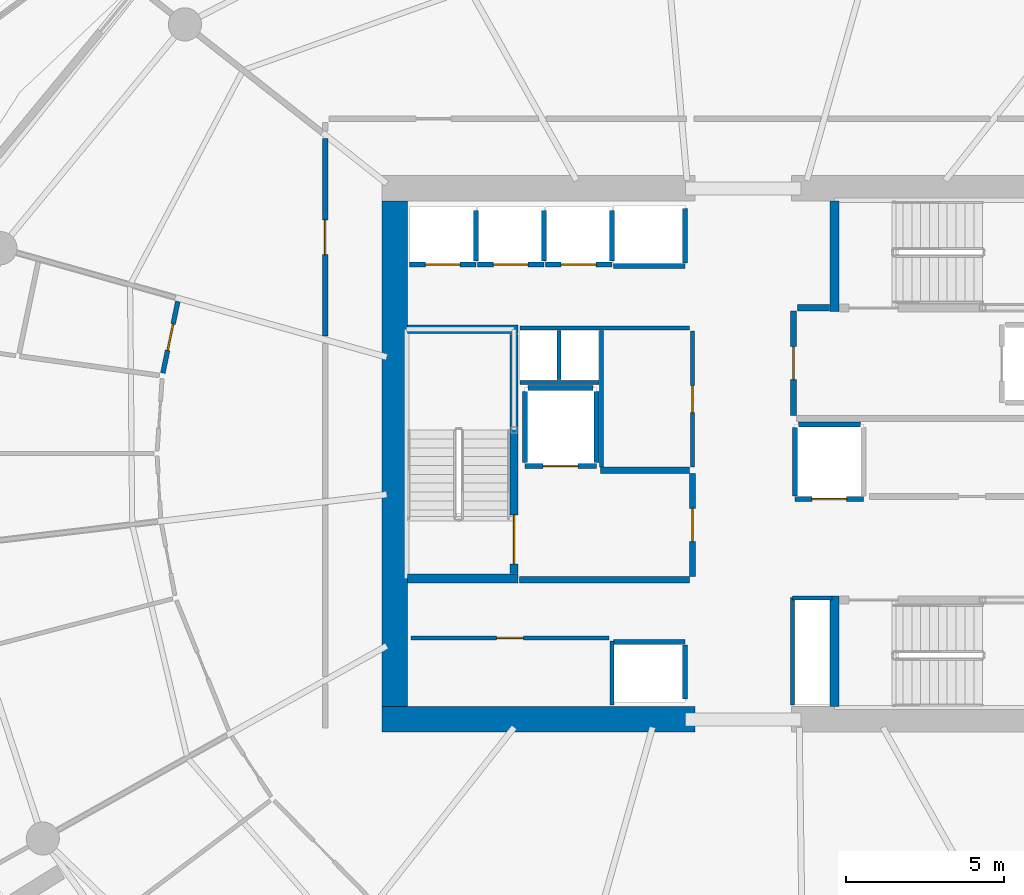
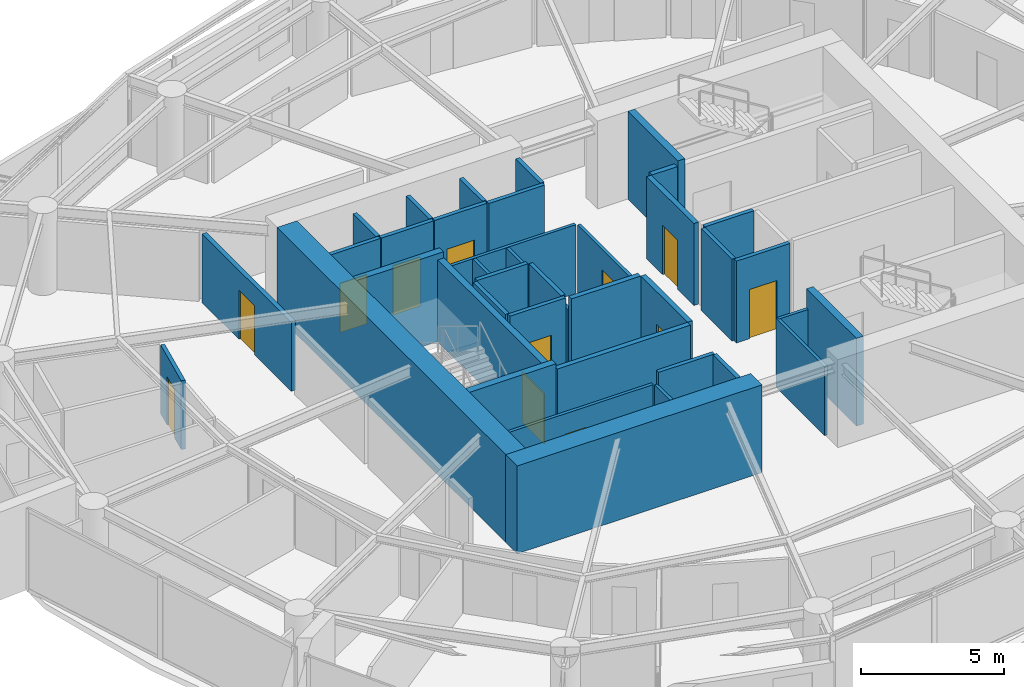
# One storey, part 12 of 20: 40 walls, 12 doors, 12 openings.
"""IFC4 building model written with IfcOpenShell, lengths in metres."""

from ifc_helpers import new_model, si_unit, direction, frame, frame_2d, origin, place, context, subcontext, project, spatial, rectangle, extrude, material, layer, layer_set, type_object, element, fill, save


model = new_model("IFC4")

# Units and contexts
model_context = context("Model", 3, precision=1e-05, world=origin(), true_north=direction((0.0, 1.0)))
body_context = subcontext(model_context, "Body", "Model", "MODEL_VIEW")
ifc_project = project(units=[si_unit("LENGTHUNIT", "METRE"), si_unit("AREAUNIT", "SQUARE_METRE"), si_unit("VOLUMEUNIT", "CUBIC_METRE"), si_unit("PLANEANGLEUNIT", "RADIAN"), si_unit("MASSUNIT", "GRAM", prefix="KILO")], contexts=[model_context])

# Site, building, storey
site_placement = place(None, origin())
site = spatial("IfcSite", under=ifc_project, at=site_placement, CompositionType="ELEMENT")
building_placement = place(site_placement, origin())
building = spatial("IfcBuilding", under=site, at=building_placement, Name="Kazma Halo Residences", CompositionType="ELEMENT")
storey_placement = place(building_placement, frame((0.0, 0.0, 139.050048828125)))
storey = spatial("IfcBuildingStorey", under=building, at=storey_placement, Name="L34", CompositionType="ELEMENT", Elevation=139.050048828125)

# Walls
ifc_material_1 = material(Name="Concrete C80/95", Category="concrete")
ifc_layer_1 = layer(ifc_material_1, 0.800048828125)
ifc_layer_set_1 = layer_set([ifc_layer_1], Name="Concrete C80/95")
wall_type_1 = type_object("IfcWallType", Name="WL-CORE-800", PredefinedType="SHEAR", material=ifc_layer_set_1)
wall_1_placement = place(storey_placement, frame((37.0, 33.60009765625, 0.0), z_axis=(0.0, 0.0, 1.0), x_axis=(1.0, 0.0, 0.0)))
element("IfcWall", 1, at=wall_1_placement, inside=storey, type_object=wall_type_1, Name="L34 central core shear wall SW", PredefinedType="SHEAR", context=body_context, shape_type="SweptSolid", body=[
    extrude(rectangle(XDim=9.89990234375, YDim=0.800048828125, at=frame_2d((4.949951171875, 0.0))), origin(), (0.0, 0.0, 1.0), 3.75),
])
wall_2_placement = place(storey_placement, frame((37.39990234375, 34.0, 0.0), z_axis=(0.0, 0.0, 1.0), x_axis=(0.0, 1.0, 0.0)))
element("IfcWall", 2, at=wall_2_placement, inside=storey, type_object=wall_type_1, Name="L34 central core shear wall W", PredefinedType="SHEAR", context=body_context, shape_type="SweptSolid", body=[
    extrude(rectangle(XDim=16.0, YDim=0.800048828125, at=frame_2d((8.0, 0.0))), origin(), (0.0, 0.0, 1.0), 3.75),
])
ifc_material_2 = material(Name="Concrete C60/75", Category="concrete")
ifc_layer_2 = layer(ifc_material_2, 0.280029296875)
ifc_layer_set_2 = layer_set([ifc_layer_2], Name="Concrete C60/75")
wall_type_2 = type_object("IfcWallType", Name="WL-CORE-ST-280", PredefinedType="SHEAR", material=ifc_layer_set_2)
for number, where, z_axis, x_axis, name in (
    (3, (37.800048828125, 38.06005859375, 0.0), (0.0, 0.0, 1.0), (1.0, 0.0, 0.0), "L34 stairwell bearing wall ST01-S"),
    (4, (37.800048828125, 45.93994140625, 0.0), (0.0, 0.0, 1.0), (1.0, 0.0, 0.0), "L34 stairwell bearing wall ST01-N"),
    (5, (51.31005859375, 46.5, 0.0), (0.0, 0.0, 1.0), (0.0, 1.0, 0.0), "L34 stairwell bearing wall ST02-W"),
    (6, (51.31005859375, 34.0, 0.0), (0.0, 0.0, 1.0), (0.0, 1.0, 0.0), "L34 stairwell bearing wall ST03-W"),
):
    element("IfcWall", number, at=place(storey_placement, frame(where, z_axis=z_axis, x_axis=x_axis)), inside=storey, type_object=wall_type_2, Name=name, PredefinedType="SHEAR", context=body_context, shape_type="SweptSolid", body=[
        extrude(rectangle(XDim=3.5, YDim=0.280029296875, at=frame_2d((1.75, 0.0))), origin(), (0.0, 0.0, 1.0), 3.75),
    ])

# Wall, opening, door
ifc_material_3 = material(Name="Acoustic Twin-Stud Gypsum")
ifc_layer_3 = layer(ifc_material_3, 0.179931640625)
ifc_layer_set_3 = layer_set([ifc_layer_3], Name="Acoustic Twin-Stud Gypsum")
wall_type_3 = type_object("IfcWallType", Name="WL-DEM-180", PredefinedType="PARTITIONING", material=ifc_layer_set_3)
wall_3_placement = place(storey_placement, frame((35.199951171875, 51.970703125, 0.0), z_axis=(0.0, 0.0, 1.0), x_axis=(0.0, -1.0, 0.0)))
wall_3 = element("IfcWall", 7, at=wall_3_placement, inside=storey, type_object=wall_type_3, Name="L34 Apartment 1 entrance corridor wall", PredefinedType="PARTITIONING", context=body_context, shape_type="SweptSolid", body=[
    extrude(rectangle(XDim=6.24072265625, YDim=0.179931640625, at=frame_2d((3.120361328125, 0.0))), origin(), (0.0, 0.0, 1.0), 2.93994140625),
])
opening_1_placement = place(wall_3_placement, frame((2.5703125, 0.0, 0.0)))
opening_1 = element("IfcOpeningElement", 8, at=opening_1_placement, cuts=wall_3, Name="Opening DA-1100", PredefinedType="OPENING", context=body_context, shape_type="SweptSolid", body=[
    extrude(rectangle(XDim=1.10009765625, YDim=2.10009765625, at=frame_2d((0.550048828125, 1.050048828125))), frame((0.0, 0.099853515625, 0.0), z_axis=(0.0, -1.0, 0.0), x_axis=(1.0, 0.0, 0.0)), (0.0, 0.0, 1.0), 0.199951171875),
])
ifc_material_4 = material(Name="Acoustic Walnut Fire Leaf")
door_type_1 = type_object("IfcDoorType", Name="DR-FD60-1100", OperationType="NOTDEFINED", PredefinedType="DOOR", material=ifc_material_4)
door_1_placement = place(opening_1_placement, origin())
door_1 = element("IfcDoor", 9, at=door_1_placement, inside=storey, type_object=door_type_1, Name="L34 Apartment 1 entrance fire door", OperationType="SINGLE_SWING_RIGHT", OverallHeight=2.10009765625, OverallWidth=1.10009765625, PredefinedType="DOOR", context=body_context, shape_type="SweptSolid", body=[
    extrude(rectangle(XDim=1.10009765625, YDim=2.10009765625, at=frame_2d((0.550048828125, 1.050048828125))), frame((0.0, 0.02490234375, 0.0), z_axis=(0.0, -1.0, 0.0), x_axis=(1.0, 0.0, 0.0)), (0.0, 0.0, 1.0), 0.050048828125),
])
fill(opening_1, door_1)

ifc_material_5 = material(Name="Fire-Rated Blockwork Masonry", Category="masonry")
ifc_layer_4 = layer(ifc_material_5, 0.199951171875)
ifc_layer_set_4 = layer_set([ifc_layer_4], Name="Fire-Rated Blockwork Masonry")
wall_type_4 = type_object("IfcWallType", Name="WL-FLB-200", PredefinedType="PARTITIONING", material=ifc_layer_set_4)
wall_4_placement = place(storey_placement, frame((39.97509765625, 47.9951171875, 0.0), z_axis=(0.0, 0.0, 1.0), x_axis=(-1.0, 0.0, 0.0)))
wall_4 = element("IfcWall", 10, at=wall_4_placement, inside=storey, type_object=wall_type_4, Name="L34 lift shaft PM-01 front wall", PredefinedType="PARTITIONING", context=body_context, shape_type="SweptSolid", body=[
    extrude(rectangle(XDim=2.110107421875, YDim=0.159912109375, at=frame_2d((1.05517578125, 0.0))), origin(), (0.0, 0.0, 1.0), 3.5),
])
opening_2_placement = place(wall_4_placement, frame((0.5048828125, 0.0, 0.0)))
opening_2 = element("IfcOpeningElement", 11, at=opening_2_placement, cuts=wall_4, Name="Opening LD-PM-01", PredefinedType="OPENING", context=body_context, shape_type="SweptSolid", body=[
    extrude(rectangle(XDim=1.10009765625, YDim=2.10009765625, at=frame_2d((0.550048828125, 1.050048828125))), frame((0.0, 0.08984375, 0.0), z_axis=(0.0, -1.0, 0.0), x_axis=(1.0, 0.0, 0.0)), (0.0, 0.0, 1.0), 0.179931640625),
])
ifc_material_6 = material(Name="Stainless Steel Fire-Rated", Category="steel")
door_type_2 = type_object("IfcDoorType", Name="DR-LIFT-SLD-1100", OperationType="DOUBLE_DOOR_SLIDING", PredefinedType="DOOR", material=ifc_material_6)
door_2_placement = place(opening_2_placement, origin())
door_2 = element("IfcDoor", 12, at=door_2_placement, inside=storey, type_object=door_type_2, Name="L34 lift PM-01 sliding landing door", OperationType="DOUBLE_DOOR_SLIDING", OverallHeight=2.10009765625, OverallWidth=1.10009765625, PredefinedType="DOOR", context=body_context, shape_type="SweptSolid", body=[
    extrude(rectangle(XDim=1.10009765625, YDim=2.10009765625, at=frame_2d((0.550048828125, 1.050048828125))), frame((0.0, 0.02490234375, 0.0), z_axis=(0.0, -1.0, 0.0), x_axis=(1.0, 0.0, 0.0)), (0.0, 0.0, 1.0), 0.050048828125),
])
fill(opening_2, door_2)

# Wall
wall_5_placement = place(storey_placement, frame((39.97509765625, 48.094970703125, 0.0), z_axis=(0.0, 0.0, 1.0), x_axis=(0.0, 1.0, 0.0)))
element("IfcWall", 13, at=wall_5_placement, inside=storey, type_object=wall_type_4, Name="L34 lift shaft PM-01 side wall E", PredefinedType="PARTITIONING", context=body_context, shape_type="SweptSolid", body=[
    extrude(rectangle(XDim=1.610107421875, YDim=0.159912109375, at=frame_2d((0.80517578125, 0.0))), origin(), (0.0, 0.0, 1.0), 3.5),
])

# Wall, opening, door
wall_6_placement = place(storey_placement, frame((42.125, 47.9951171875, 0.0), z_axis=(0.0, 0.0, 1.0), x_axis=(-1.0, 0.0, 0.0)))
wall_6 = element("IfcWall", 14, at=wall_6_placement, inside=storey, type_object=wall_type_4, Name="L34 lift shaft PM-02 front wall", PredefinedType="PARTITIONING", context=body_context, shape_type="SweptSolid", body=[
    extrude(rectangle(XDim=2.110107421875, YDim=0.159912109375, at=frame_2d((1.05517578125, 0.0))), origin(), (0.0, 0.0, 1.0), 3.5),
])
opening_3_placement = place(wall_6_placement, frame((0.5048828125, 0.0, 0.0)))
opening_3 = element("IfcOpeningElement", 15, at=opening_3_placement, cuts=wall_6, Name="Opening LD-PM-02", PredefinedType="OPENING", context=body_context, shape_type="SweptSolid", body=[
    extrude(rectangle(XDim=1.10009765625, YDim=2.10009765625, at=frame_2d((0.550048828125, 1.050048828125))), frame((0.0, 0.08984375, 0.0), z_axis=(0.0, -1.0, 0.0), x_axis=(1.0, 0.0, 0.0)), (0.0, 0.0, 1.0), 0.179931640625),
])
door_3_placement = place(opening_3_placement, origin())
door_3 = element("IfcDoor", 16, at=door_3_placement, inside=storey, type_object=door_type_2, Name="L34 lift PM-02 sliding landing door", OperationType="DOUBLE_DOOR_SLIDING", OverallHeight=2.10009765625, OverallWidth=1.10009765625, PredefinedType="DOOR", context=body_context, shape_type="SweptSolid", body=[
    extrude(rectangle(XDim=1.10009765625, YDim=2.10009765625, at=frame_2d((0.550048828125, 1.050048828125))), frame((0.0, 0.02490234375, 0.0), z_axis=(0.0, -1.0, 0.0), x_axis=(1.0, 0.0, 0.0)), (0.0, 0.0, 1.0), 0.050048828125),
])
fill(opening_3, door_3)

# Wall
wall_7_placement = place(storey_placement, frame((42.125, 48.094970703125, 0.0), z_axis=(0.0, 0.0, 1.0), x_axis=(0.0, 1.0, 0.0)))
element("IfcWall", 17, at=wall_7_placement, inside=storey, type_object=wall_type_4, Name="L34 lift shaft PM-02 side wall E", PredefinedType="PARTITIONING", context=body_context, shape_type="SweptSolid", body=[
    extrude(rectangle(XDim=1.610107421875, YDim=0.159912109375, at=frame_2d((0.80517578125, 0.0))), origin(), (0.0, 0.0, 1.0), 3.5),
])

# Wall, opening, door
wall_8_placement = place(storey_placement, frame((44.27490234375, 47.9951171875, 0.0), z_axis=(0.0, 0.0, 1.0), x_axis=(-1.0, 0.0, 0.0)))
wall_8 = element("IfcWall", 18, at=wall_8_placement, inside=storey, type_object=wall_type_4, Name="L34 lift shaft PM-03 front wall", PredefinedType="PARTITIONING", context=body_context, shape_type="SweptSolid", body=[
    extrude(rectangle(XDim=2.10986328125, YDim=0.159912109375, at=frame_2d((1.054931640625, 0.0))), origin(), (0.0, 0.0, 1.0), 3.5),
])
opening_4_placement = place(wall_8_placement, frame((0.5048828125, 0.0, 0.0)))
opening_4 = element("IfcOpeningElement", 19, at=opening_4_placement, cuts=wall_8, Name="Opening LD-PM-03", PredefinedType="OPENING", context=body_context, shape_type="SweptSolid", body=[
    extrude(rectangle(XDim=1.10009765625, YDim=2.10009765625, at=frame_2d((0.550048828125, 1.050048828125))), frame((0.0, 0.08984375, 0.0), z_axis=(0.0, -1.0, 0.0), x_axis=(1.0, 0.0, 0.0)), (0.0, 0.0, 1.0), 0.179931640625),
])
door_4_placement = place(opening_4_placement, origin())
door_4 = element("IfcDoor", 20, at=door_4_placement, inside=storey, type_object=door_type_2, Name="L34 lift PM-03 sliding landing door", OperationType="DOUBLE_DOOR_SLIDING", OverallHeight=2.10009765625, OverallWidth=1.10009765625, PredefinedType="DOOR", context=body_context, shape_type="SweptSolid", body=[
    extrude(rectangle(XDim=1.10009765625, YDim=2.10009765625, at=frame_2d((0.550048828125, 1.050048828125))), frame((0.0, 0.02490234375, 0.0), z_axis=(0.0, -1.0, 0.0), x_axis=(1.0, 0.0, 0.0)), (0.0, 0.0, 1.0), 0.050048828125),
])
fill(opening_4, door_4)

# Walls
wall_9_placement = place(storey_placement, frame((44.27490234375, 48.094970703125, 0.0), z_axis=(0.0, 0.0, 1.0), x_axis=(0.0, 1.0, 0.0)))
element("IfcWall", 21, at=wall_9_placement, inside=storey, type_object=wall_type_4, Name="L34 lift shaft PM-03 side wall E", PredefinedType="PARTITIONING", context=body_context, shape_type="SweptSolid", body=[
    extrude(rectangle(XDim=1.610107421875, YDim=0.159912109375, at=frame_2d((0.80517578125, 0.0))), origin(), (0.0, 0.0, 1.0), 3.5),
])
wall_10_placement = place(storey_placement, frame((46.580078125, 47.945068359375, 0.0), z_axis=(0.0, 0.0, 1.0), x_axis=(-1.0, 0.0, 0.0)))
element("IfcWall", 22, at=wall_10_placement, inside=storey, type_object=wall_type_4, Name="L34 lift shaft PX-01 front wall", PredefinedType="PARTITIONING", context=body_context, shape_type="SweptSolid", body=[
    extrude(rectangle(XDim=2.260009765625, YDim=0.159912109375, at=frame_2d((1.1298828125, 0.0))), origin(), (0.0, 0.0, 1.0), 3.5),
])
wall_11_placement = place(storey_placement, frame((46.580078125, 48.044921875, 0.0), z_axis=(0.0, 0.0, 1.0), x_axis=(0.0, 1.0, 0.0)))
element("IfcWall", 23, at=wall_11_placement, inside=storey, type_object=wall_type_4, Name="L34 lift shaft PX-01 side wall E", PredefinedType="PARTITIONING", context=body_context, shape_type="SweptSolid", body=[
    extrude(rectangle(XDim=1.7099609375, YDim=0.159912109375, at=frame_2d((0.85498046875, 0.0))), origin(), (0.0, 0.0, 1.0), 3.5),
])
wall_12_placement = place(storey_placement, frame((44.320068359375, 36.054931640625, 0.0), z_axis=(0.0, 0.0, 1.0), x_axis=(1.0, 0.0, 0.0)))
element("IfcWall", 24, at=wall_12_placement, inside=storey, type_object=wall_type_4, Name="L34 lift shaft PX-02 front wall", PredefinedType="PARTITIONING", context=body_context, shape_type="SweptSolid", body=[
    extrude(rectangle(XDim=2.260009765625, YDim=0.159912109375, at=frame_2d((1.1298828125, 0.0))), origin(), (0.0, 0.0, 1.0), 3.5),
])
wall_13_placement = place(storey_placement, frame((46.580078125, 34.2451171875, 0.0), z_axis=(0.0, 0.0, 1.0), x_axis=(0.0, 1.0, 0.0)))
element("IfcWall", 25, at=wall_13_placement, inside=storey, type_object=wall_type_4, Name="L34 lift shaft PX-02 side wall E", PredefinedType="PARTITIONING", context=body_context, shape_type="SweptSolid", body=[
    extrude(rectangle(XDim=1.7099609375, YDim=0.159912109375, at=frame_2d((0.85498046875, 0.0))), origin(), (0.0, 0.0, 1.0), 3.5),
])

# Wall, opening, door
wall_14_placement = place(storey_placement, frame((43.780029296875, 41.6201171875, 0.0), z_axis=(0.0, 0.0, 1.0), x_axis=(-1.0, 0.0, 0.0)))
wall_14 = element("IfcWall", 26, at=wall_14_placement, inside=storey, type_object=wall_type_4, Name="L34 lift shaft FL-01 front wall", PredefinedType="PARTITIONING", context=body_context, shape_type="SweptSolid", body=[
    extrude(rectangle(XDim=2.260009765625, YDim=0.159912109375, at=frame_2d((1.1298828125, 0.0))), origin(), (0.0, 0.0, 1.0), 3.5),
])
opening_5_placement = place(wall_14_placement, frame((0.580078125, 0.0, 0.0)))
opening_5 = element("IfcOpeningElement", 27, at=opening_5_placement, cuts=wall_14, Name="Opening LD-FL-01", PredefinedType="OPENING", context=body_context, shape_type="SweptSolid", body=[
    extrude(rectangle(XDim=1.10009765625, YDim=2.10009765625, at=frame_2d((0.550048828125, 1.050048828125))), frame((0.0, 0.08984375, 0.0), z_axis=(0.0, -1.0, 0.0), x_axis=(1.0, 0.0, 0.0)), (0.0, 0.0, 1.0), 0.179931640625),
])
door_5_placement = place(opening_5_placement, origin())
door_5 = element("IfcDoor", 28, at=door_5_placement, inside=storey, type_object=door_type_2, Name="L34 lift FL-01 sliding landing door", OperationType="DOUBLE_DOOR_SLIDING", OverallHeight=2.10009765625, OverallWidth=1.10009765625, PredefinedType="DOOR", context=body_context, shape_type="SweptSolid", body=[
    extrude(rectangle(XDim=1.10009765625, YDim=2.10009765625, at=frame_2d((0.550048828125, 1.050048828125))), frame((0.0, 0.02490234375, 0.0), z_axis=(0.0, -1.0, 0.0), x_axis=(1.0, 0.0, 0.0)), (0.0, 0.0, 1.0), 0.050048828125),
])
fill(opening_5, door_5)

# Walls
for number, where, z_axis, x_axis, name in (
    (29, (43.780029296875, 41.719970703125, 0.0), (0.0, 0.0, 1.0), (0.0, 1.0, 0.0), "L34 lift shaft FL-01 side wall E"),
    (30, (41.52001953125, 41.719970703125, 0.0), (0.0, 0.0, 1.0), (0.0, 1.0, 0.0), "L34 lift shaft FL-01 side wall W"),
):
    element("IfcWall", number, at=place(storey_placement, frame(where, z_axis=z_axis, x_axis=x_axis)), inside=storey, type_object=wall_type_4, Name=name, PredefinedType="PARTITIONING", context=body_context, shape_type="SweptSolid", body=[
        extrude(rectangle(XDim=2.260009765625, YDim=0.159912109375, at=frame_2d((1.1298828125, 0.0))), origin(), (0.0, 0.0, 1.0), 3.5),
    ])
wall_15_placement = place(storey_placement, frame((41.6201171875, 44.080078125, 0.0), z_axis=(0.0, 0.0, 1.0), x_axis=(1.0, 0.0, 0.0)))
element("IfcWall", 31, at=wall_15_placement, inside=storey, type_object=wall_type_4, Name="L34 lift shaft FL-01 side wall N", PredefinedType="PARTITIONING", context=body_context, shape_type="SweptSolid", body=[
    extrude(rectangle(XDim=2.059814453125, YDim=0.159912109375, at=frame_2d((1.02978515625, 0.0))), origin(), (0.0, 0.0, 1.0), 3.5),
])

# Wall, opening, door
wall_16_placement = place(storey_placement, frame((52.22998046875, 40.570068359375, 0.0), z_axis=(0.0, 0.0, 1.0), x_axis=(-1.0, 0.0, 0.0)))
wall_16 = element("IfcWall", 32, at=wall_16_placement, inside=storey, type_object=wall_type_4, Name="L34 lift shaft SV-01 front wall", PredefinedType="PARTITIONING", context=body_context, shape_type="SweptSolid", body=[
    extrude(rectangle(XDim=2.159912109375, YDim=0.159912109375, at=frame_2d((1.080078125, 0.0))), origin(), (0.0, 0.0, 1.0), 3.5),
])
opening_6_placement = place(wall_16_placement, frame((0.530029296875, 0.0, 0.0)))
opening_6 = element("IfcOpeningElement", 33, at=opening_6_placement, cuts=wall_16, Name="Opening LD-SV-01", PredefinedType="OPENING", context=body_context, shape_type="SweptSolid", body=[
    extrude(rectangle(XDim=1.10009765625, YDim=2.10009765625, at=frame_2d((0.550048828125, 1.050048828125))), frame((0.0, 0.08984375, 0.0), z_axis=(0.0, -1.0, 0.0), x_axis=(1.0, 0.0, 0.0)), (0.0, 0.0, 1.0), 0.179931640625),
])
door_6_placement = place(opening_6_placement, origin())
door_6 = element("IfcDoor", 34, at=door_6_placement, inside=storey, type_object=door_type_2, Name="L34 lift SV-01 sliding landing door", OperationType="DOUBLE_DOOR_SLIDING", OverallHeight=2.10009765625, OverallWidth=1.10009765625, PredefinedType="DOOR", context=body_context, shape_type="SweptSolid", body=[
    extrude(rectangle(XDim=1.10009765625, YDim=2.10009765625, at=frame_2d((0.550048828125, 1.050048828125))), frame((0.0, 0.02490234375, 0.0), z_axis=(0.0, -1.0, 0.0), x_axis=(1.0, 0.0, 0.0)), (0.0, 0.0, 1.0), 0.050048828125),
])
fill(opening_6, door_6)

# Walls
wall_17_placement = place(storey_placement, frame((50.070068359375, 40.669921875, 0.0), z_axis=(0.0, 0.0, 1.0), x_axis=(0.0, 1.0, 0.0)))
element("IfcWall", 35, at=wall_17_placement, inside=storey, type_object=wall_type_4, Name="L34 lift shaft SV-01 side wall W", PredefinedType="PARTITIONING", context=body_context, shape_type="SweptSolid", body=[
    extrude(rectangle(XDim=2.16015625, YDim=0.159912109375, at=frame_2d((1.080078125, 0.0))), origin(), (0.0, 0.0, 1.0), 3.5),
])
wall_18_placement = place(storey_placement, frame((50.169921875, 42.929931640625, 0.0), z_axis=(0.0, 0.0, 1.0), x_axis=(1.0, 0.0, 0.0)))
element("IfcWall", 36, at=wall_18_placement, inside=storey, type_object=wall_type_4, Name="L34 lift shaft SV-01 side wall N", PredefinedType="PARTITIONING", context=body_context, shape_type="SweptSolid", body=[
    extrude(rectangle(XDim=1.9599609375, YDim=0.159912109375, at=frame_2d((0.97998046875, 0.0))), origin(), (0.0, 0.0, 1.0), 3.5),
])
wall_19_placement = place(storey_placement, frame((41.35009765625, 38.02001953125, 0.0), z_axis=(0.0, 0.0, 1.0), x_axis=(1.0, 0.0, 0.0)))
element("IfcWall", 37, at=wall_19_placement, inside=storey, type_object=wall_type_4, Name="L34 west firefighting lobby south smoke wall", PredefinedType="PARTITIONING", context=body_context, shape_type="SweptSolid", body=[
    extrude(rectangle(XDim=5.369873046875, YDim=0.199951171875, at=frame_2d((2.68505859375, 0.0))), origin(), (0.0, 0.0, 1.0), 3.5),
])
wall_20_placement = place(storey_placement, frame((43.919921875, 41.47998046875, 0.0), z_axis=(0.0, 0.0, 1.0), x_axis=(1.0, 0.0, 0.0)))
element("IfcWall", 38, at=wall_20_placement, inside=storey, type_object=wall_type_4, Name="L34 west firefighting lobby north smoke wall", PredefinedType="PARTITIONING", context=body_context, shape_type="SweptSolid", body=[
    extrude(rectangle(XDim=2.800048828125, YDim=0.199951171875, at=frame_2d((1.39990234375, 0.0))), origin(), (0.0, 0.0, 1.0), 3.5),
])

# Wall, opening, door
wall_21_placement = place(storey_placement, frame((46.820068359375, 38.1201171875, 0.0), z_axis=(0.0, 0.0, 1.0), x_axis=(0.0, 1.0, 0.0)))
wall_21 = element("IfcWall", 39, at=wall_21_placement, inside=storey, type_object=wall_type_4, Name="L34 west firefighting lobby smoke wall", PredefinedType="PARTITIONING", context=body_context, shape_type="SweptSolid", body=[
    extrude(rectangle(XDim=3.259765625, YDim=0.199951171875, at=frame_2d((1.6298828125, 0.0))), origin(), (0.0, 0.0, 1.0), 3.5),
])
opening_7_placement = place(wall_21_placement, frame((1.10498046875, 0.0, 0.0)))
opening_7 = element("IfcOpeningElement", 40, at=opening_7_placement, cuts=wall_21, Name="Opening D-FLW", PredefinedType="OPENING", context=body_context, shape_type="SweptSolid", body=[
    extrude(rectangle(XDim=1.050048828125, YDim=2.10009765625, at=frame_2d((0.52490234375, 1.050048828125))), frame((0.0, 0.10986328125, 0.0), z_axis=(0.0, -1.0, 0.0), x_axis=(1.0, 0.0, 0.0)), (0.0, 0.0, 1.0), 0.219970703125),
])
ifc_material_7 = material(Name="Fire-Rated Steel Leaf", Category="steel")
door_type_3 = type_object("IfcDoorType", Name="DR-FD90-1050", OperationType="NOTDEFINED", PredefinedType="DOOR", material=ifc_material_7)
door_7_placement = place(opening_7_placement, origin())
door_7 = element("IfcDoor", 41, at=door_7_placement, inside=storey, type_object=door_type_3, Name="L34 west firefighting lobby smoke door", OperationType="SINGLE_SWING_LEFT", OverallHeight=2.10009765625, OverallWidth=1.050048828125, PredefinedType="DOOR", context=body_context, shape_type="SweptSolid", body=[
    extrude(rectangle(XDim=1.050048828125, YDim=2.10009765625, at=frame_2d((0.52490234375, 1.050048828125))), frame((0.0, 0.02490234375, 0.0), z_axis=(0.0, -1.0, 0.0), x_axis=(1.0, 0.0, 0.0)), (0.0, 0.0, 1.0), 0.050048828125),
])
fill(opening_7, door_7)

# Wall
wall_22_placement = place(storey_placement, frame((50.139892578125, 46.6201171875, 0.0), z_axis=(0.0, 0.0, 1.0), x_axis=(1.0, 0.0, 0.0)))
element("IfcWall", 42, at=wall_22_placement, inside=storey, type_object=wall_type_4, Name="L34 east firefighting lobby north closure wall", PredefinedType="PARTITIONING", context=body_context, shape_type="SweptSolid", body=[
    extrude(rectangle(XDim=1.02001953125, YDim=0.199951171875, at=frame_2d((0.510009765625, 0.0))), origin(), (0.0, 0.0, 1.0), 3.5),
])

# Wall, opening, door
wall_23_placement = place(storey_placement, frame((50.02001953125, 43.219970703125, 0.0), z_axis=(0.0, 0.0, 1.0), x_axis=(0.0, 1.0, 0.0)))
wall_23 = element("IfcWall", 43, at=wall_23_placement, inside=storey, type_object=wall_type_4, Name="L34 east firefighting lobby smoke wall", PredefinedType="PARTITIONING", context=body_context, shape_type="SweptSolid", body=[
    extrude(rectangle(XDim=3.300048828125, YDim=0.199951171875, at=frame_2d((1.64990234375, 0.0))), origin(), (0.0, 0.0, 1.0), 3.5),
])
opening_8_placement = place(wall_23_placement, frame((1.125, 0.0, 0.0)))
opening_8 = element("IfcOpeningElement", 44, at=opening_8_placement, cuts=wall_23, Name="Opening D-FLE", PredefinedType="OPENING", context=body_context, shape_type="SweptSolid", body=[
    extrude(rectangle(XDim=1.050048828125, YDim=2.10009765625, at=frame_2d((0.52490234375, 1.050048828125))), frame((0.0, 0.10986328125, 0.0), z_axis=(0.0, -1.0, 0.0), x_axis=(1.0, 0.0, 0.0)), (0.0, 0.0, 1.0), 0.219970703125),
])
door_8_placement = place(opening_8_placement, origin())
door_8 = element("IfcDoor", 45, at=door_8_placement, inside=storey, type_object=door_type_3, Name="L34 east firefighting lobby smoke door", OperationType="SINGLE_SWING_RIGHT", OverallHeight=2.10009765625, OverallWidth=1.050048828125, PredefinedType="DOOR", context=body_context, shape_type="SweptSolid", body=[
    extrude(rectangle(XDim=1.050048828125, YDim=2.10009765625, at=frame_2d((0.52490234375, 1.050048828125))), frame((0.0, 0.02490234375, 0.0), z_axis=(0.0, -1.0, 0.0), x_axis=(1.0, 0.0, 0.0)), (0.0, 0.0, 1.0), 0.050048828125),
])
fill(opening_8, door_8)

# Wall
ifc_material_8 = material(Name="Gypsum Plasterboard Partition")
ifc_layer_5 = layer(ifc_material_8, 0.125)
ifc_layer_set_5 = layer_set([ifc_layer_5], Name="Gypsum Plasterboard Partition")
wall_type_5 = type_object("IfcWallType", Name="WL-PART-125", PredefinedType="PARTITIONING", material=ifc_layer_set_5)
wall_24_placement = place(storey_placement, frame((44.280029296875, 34.050048828125, 0.0), z_axis=(0.0, 0.0, 1.0), x_axis=(0.0, 1.0, 0.0)))
element("IfcWall", 46, at=wall_24_placement, inside=storey, type_object=wall_type_5, Name="L34 reclaimed south east wall", PredefinedType="PARTITIONING", context=body_context, shape_type="SweptSolid", body=[
    extrude(rectangle(XDim=2.030029296875, YDim=0.125, at=frame_2d((1.01513671875, 0.0))), origin(), (0.0, 0.0, 1.0), 2.93994140625),
])

# Wall, opening, door
wall_25_placement = place(storey_placement, frame((37.919921875, 36.179931640625, 0.0), z_axis=(0.0, 0.0, 1.0), x_axis=(1.0, 0.0, 0.0)))
wall_25 = element("IfcWall", 47, at=wall_25_placement, inside=storey, type_object=wall_type_5, Name="L34 reclaimed south front wall", PredefinedType="PARTITIONING", context=body_context, shape_type="SweptSolid", body=[
    extrude(rectangle(XDim=6.260009765625, YDim=0.125, at=frame_2d((3.1298828125, 0.0))), origin(), (0.0, 0.0, 1.0), 2.93994140625),
])
opening_9_placement = place(wall_25_placement, frame((2.705078125, 0.0, 0.0)))
opening_9 = element("IfcOpeningElement", 48, at=opening_9_placement, cuts=wall_25, Name="Opening DS-850", PredefinedType="OPENING", context=body_context, shape_type="SweptSolid", body=[
    extrude(rectangle(XDim=0.85009765625, YDim=2.06005859375, at=frame_2d((0.425048828125, 1.030029296875))), frame((0.0, 0.072509765625, 0.0), z_axis=(0.0, -1.0, 0.0), x_axis=(1.0, 0.0, 0.0)), (0.0, 0.0, 1.0), 0.14501953125),
])
ifc_material_9 = material(Name="Painted Steel Access Leaf", Category="steel")
door_type_4 = type_object("IfcDoorType", Name="DR-SVC-850", OperationType="NOTDEFINED", PredefinedType="DOOR", material=ifc_material_9)
door_9_placement = place(opening_9_placement, origin())
door_9 = element("IfcDoor", 49, at=door_9_placement, inside=storey, type_object=door_type_4, Name="L34 reclaimed south service door", OperationType="SINGLE_SWING_LEFT", OverallHeight=2.06005859375, OverallWidth=0.85009765625, PredefinedType="DOOR", context=body_context, shape_type="SweptSolid", body=[
    extrude(rectangle(XDim=0.85009765625, YDim=2.06005859375, at=frame_2d((0.425048828125, 1.030029296875))), frame((0.0, 0.02490234375, 0.0), z_axis=(0.0, -1.0, 0.0), x_axis=(1.0, 0.0, 0.0)), (0.0, 0.0, 1.0), 0.050048828125),
])
fill(opening_9, door_9)

# Walls
wall_26_placement = place(storey_placement, frame((41.360107421875, 45.97998046875, 0.0), z_axis=(0.0, 0.0, 1.0), x_axis=(1.0, 0.0, 0.0)))
element("IfcWall", 50, at=wall_26_placement, inside=storey, type_object=wall_type_5, Name="L34 core north riser wall", PredefinedType="PARTITIONING", context=body_context, shape_type="SweptSolid", body=[
    extrude(rectangle(XDim=5.35986328125, YDim=0.125, at=frame_2d((2.679931640625, 0.0))), origin(), (0.0, 0.0, 1.0), 2.93994140625),
])
wall_27_placement = place(storey_placement, frame((41.360107421875, 44.260009765625, 0.0), z_axis=(0.0, 0.0, 1.0), x_axis=(1.0, 0.0, 0.0)))
element("IfcWall", 51, at=wall_27_placement, inside=storey, type_object=wall_type_5, Name="L34 core riser south wall", PredefinedType="PARTITIONING", context=body_context, shape_type="SweptSolid", body=[
    extrude(rectangle(XDim=2.5, YDim=0.125, at=frame_2d((1.25, 0.0))), origin(), (0.0, 0.0, 1.0), 2.93994140625),
])
wall_28_placement = place(storey_placement, frame((42.60009765625, 44.35009765625, 0.0), z_axis=(0.0, 0.0, 1.0), x_axis=(0.0, 1.0, 0.0)))
element("IfcWall", 52, at=wall_28_placement, inside=storey, type_object=wall_type_5, Name="L34 core riser divider wall", PredefinedType="PARTITIONING", context=body_context, shape_type="SweptSolid", body=[
    extrude(rectangle(XDim=1.5498046875, YDim=0.125, at=frame_2d((0.77490234375, 0.0))), origin(), (0.0, 0.0, 1.0), 2.93994140625),
])
wall_29_placement = place(storey_placement, frame((49.97998046875, 34.06005859375, 0.0), z_axis=(0.0, 0.0, 1.0), x_axis=(0.0, 1.0, 0.0)))
element("IfcWall", 53, at=wall_29_placement, inside=storey, type_object=wall_type_5, Name="L34 standpipe riser wall", PredefinedType="PARTITIONING", context=body_context, shape_type="SweptSolid", body=[
    extrude(rectangle(XDim=3.39990234375, YDim=0.125, at=frame_2d((1.699951171875, 0.0))), origin(), (0.0, 0.0, 1.0), 2.93994140625),
])
wall_30_placement = place(storey_placement, frame((49.97998046875, 37.43994140625, 0.0), z_axis=(0.0, 0.0, 1.0), x_axis=(1.0, 0.0, 0.0)))
element("IfcWall", 54, at=wall_30_placement, inside=storey, type_object=wall_type_5, Name="L34 standpipe riser north wall", PredefinedType="PARTITIONING", context=body_context, shape_type="SweptSolid", body=[
    extrude(rectangle(XDim=1.260009765625, YDim=0.125, at=frame_2d((0.6298828125, 0.0))), origin(), (0.0, 0.0, 1.0), 2.93994140625),
])
wall_31_placement = place(storey_placement, frame((43.949951171875, 41.580078125, 0.0), z_axis=(0.0, 0.0, 1.0), x_axis=(0.0, 1.0, 0.0)))
element("IfcWall", 55, at=wall_31_placement, inside=storey, type_object=wall_type_5, Name="L34 core service west wall", PredefinedType="PARTITIONING", context=body_context, shape_type="SweptSolid", body=[
    extrude(rectangle(XDim=4.31982421875, YDim=0.125, at=frame_2d((2.159912109375, 0.0))), origin(), (0.0, 0.0, 1.0), 2.93994140625),
])

# Wall, opening, door
wall_32_placement = place(storey_placement, frame((46.820068359375, 41.580078125, 0.0), z_axis=(0.0, 0.0, 1.0), x_axis=(0.0, 1.0, 0.0)))
wall_32 = element("IfcWall", 56, at=wall_32_placement, inside=storey, type_object=wall_type_5, Name="L34 core service room east wall", PredefinedType="PARTITIONING", context=body_context, shape_type="SweptSolid", body=[
    extrude(rectangle(XDim=4.2998046875, YDim=0.125, at=frame_2d((2.14990234375, 0.0))), origin(), (0.0, 0.0, 1.0), 2.93994140625),
])
opening_10_placement = place(wall_32_placement, frame((1.72509765625, 0.0, 0.0)))
opening_10 = element("IfcOpeningElement", 57, at=opening_10_placement, cuts=wall_32, Name="Opening DS-850", PredefinedType="OPENING", context=body_context, shape_type="SweptSolid", body=[
    extrude(rectangle(XDim=0.85009765625, YDim=2.06005859375, at=frame_2d((0.425048828125, 1.030029296875))), frame((0.0, 0.072509765625, 0.0), z_axis=(0.0, -1.0, 0.0), x_axis=(1.0, 0.0, 0.0)), (0.0, 0.0, 1.0), 0.14501953125),
])
door_10_placement = place(opening_10_placement, origin())
door_10 = element("IfcDoor", 58, at=door_10_placement, inside=storey, type_object=door_type_4, Name="L34 core service room door", OperationType="SINGLE_SWING_LEFT", OverallHeight=2.06005859375, OverallWidth=0.85009765625, PredefinedType="DOOR", context=body_context, shape_type="SweptSolid", body=[
    extrude(rectangle(XDim=0.85009765625, YDim=2.06005859375, at=frame_2d((0.425048828125, 1.030029296875))), frame((0.0, 0.02490234375, 0.0), z_axis=(0.0, -1.0, 0.0), x_axis=(1.0, 0.0, 0.0)), (0.0, 0.0, 1.0), 0.050048828125),
])
fill(opening_10, door_10)

ifc_material_10 = material(Name="Concrete C50/60", Category="concrete")
ifc_layer_6 = layer(ifc_material_10, 0.25)
ifc_layer_set_6 = layer_set([ifc_layer_6], Name="Concrete C50/60")
wall_type_6 = type_object("IfcWallType", Name="WL-SHF-250", PredefinedType="SOLIDWALL", material=ifc_layer_set_6)
wall_33_placement = place(storey_placement, frame((41.179931640625, 38.219970703125, 0.0), z_axis=(0.0, 0.0, 1.0), x_axis=(0.0, 1.0, 0.0)))
wall_33 = element("IfcWall", 59, at=wall_33_placement, inside=storey, type_object=wall_type_6, Name="L34 exit stair ST-01 enclosure wall", PredefinedType="SOLIDWALL", context=body_context, shape_type="SweptSolid", body=[
    extrude(rectangle(XDim=7.56005859375, YDim=0.25, at=frame_2d((3.780029296875, 0.0))), origin(), (0.0, 0.0, 1.0), 3.5),
])
opening_11_placement = place(wall_33_placement, frame((0.300048828125, 0.0, 0.0)))
opening_11 = element("IfcOpeningElement", 60, at=opening_11_placement, cuts=wall_33, Name="Opening D-ST1", PredefinedType="OPENING", context=body_context, shape_type="SweptSolid", body=[
    extrude(rectangle(XDim=1.550048828125, YDim=2.14990234375, at=frame_2d((0.77490234375, 1.074951171875))), frame((0.0, 0.135009765625, 0.0), z_axis=(0.0, -1.0, 0.0), x_axis=(1.0, 0.0, 0.0)), (0.0, 0.0, 1.0), 0.27001953125),
])
ifc_material_11 = material(Name="Fire-Rated Double Steel Leaf", Category="steel")
door_type_5 = type_object("IfcDoorType", Name="DR-FD90-1550", OperationType="NOTDEFINED", PredefinedType="DOOR", material=ifc_material_11)
door_11_placement = place(opening_11_placement, origin())
door_11 = element("IfcDoor", 61, at=door_11_placement, inside=storey, type_object=door_type_5, Name="L34 exit stair ST-01 fire door", OperationType="DOUBLE_DOOR_SINGLE_SWING", OverallHeight=2.14990234375, OverallWidth=1.550048828125, PredefinedType="DOOR", context=body_context, shape_type="SweptSolid", body=[
    extrude(rectangle(XDim=1.550048828125, YDim=2.14990234375, at=frame_2d((0.77490234375, 1.074951171875))), frame((0.0, 0.02490234375, 0.0), z_axis=(0.0, -1.0, 0.0), x_axis=(1.0, 0.0, 0.0)), (0.0, 0.0, 1.0), 0.050048828125),
])
fill(opening_11, door_11)

ifc_material_12 = material(Name="Moisture-Resistant Gypsum")
ifc_layer_7 = layer(ifc_material_12, 0.14990234375)
ifc_layer_set_7 = layer_set([ifc_layer_7], Name="Moisture-Resistant Gypsum")
wall_type_7 = type_object("IfcWallType", Name="WL-WET-150", PredefinedType="PARTITIONING", material=ifc_layer_set_7)
wall_34_placement = place(storey_placement, frame((30.541015625, 46.8203125, 0.0), z_axis=(0.0, 0.0, 1.0), x_axis=(-0.20437157278, -0.978893385533, 0.0)))
wall_34 = element("IfcWall", 62, at=wall_34_placement, inside=storey, type_object=wall_type_7, Name="L34 Apartment 1 Guest Bathroom hall wall", PredefinedType="PARTITIONING", context=body_context, shape_type="SweptSolid", body=[
    extrude(rectangle(XDim=2.312744140625, YDim=0.14990234375, at=frame_2d((1.15625, 0.0))), origin(), (0.0, 0.0, 1.0), 2.93994140625),
])
opening_12_placement = place(wall_34_placement, frame((0.731201171875, 0.0, 0.0)))
opening_12 = element("IfcOpeningElement", 63, at=opening_12_placement, cuts=wall_34, Name="Opening DB-900", PredefinedType="OPENING", context=body_context, shape_type="SweptSolid", body=[
    extrude(rectangle(XDim=0.85009765625, YDim=2.06005859375, at=frame_2d((0.425048828125, 1.030029296875))), frame((0.0, 0.0849609375, 0.0), z_axis=(0.0, -1.0, 0.0), x_axis=(1.0, 0.0, 0.0)), (0.0, 0.0, 1.0), 0.169921875),
])
ifc_material_13 = material(Name="Moisture-Sealed Timber Leaf", Category="wood")
door_type_6 = type_object("IfcDoorType", Name="DR-BTH-900", OperationType="NOTDEFINED", PredefinedType="DOOR", material=ifc_material_13)
door_12_placement = place(opening_12_placement, origin())
door_12 = element("IfcDoor", 64, at=door_12_placement, inside=storey, type_object=door_type_6, Name="L34 Apartment 1 Guest Bathroom door", OperationType="SINGLE_SWING_LEFT", OverallHeight=2.06005859375, OverallWidth=0.85009765625, PredefinedType="DOOR", context=body_context, shape_type="SweptSolid", body=[
    extrude(rectangle(XDim=0.85009765625, YDim=2.06005859375, at=frame_2d((0.425048828125, 1.030029296875))), frame((0.0, 0.02490234375, 0.0), z_axis=(0.0, -1.0, 0.0), x_axis=(1.0, 0.0, 0.0)), (0.0, 0.0, 1.0), 0.050048828125),
])
fill(opening_12, door_12)

save(model, "model.ifc")
